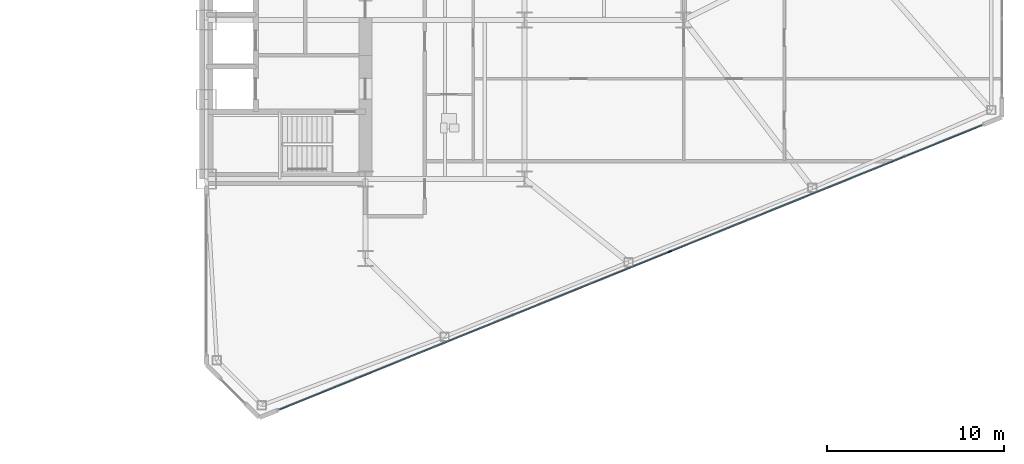
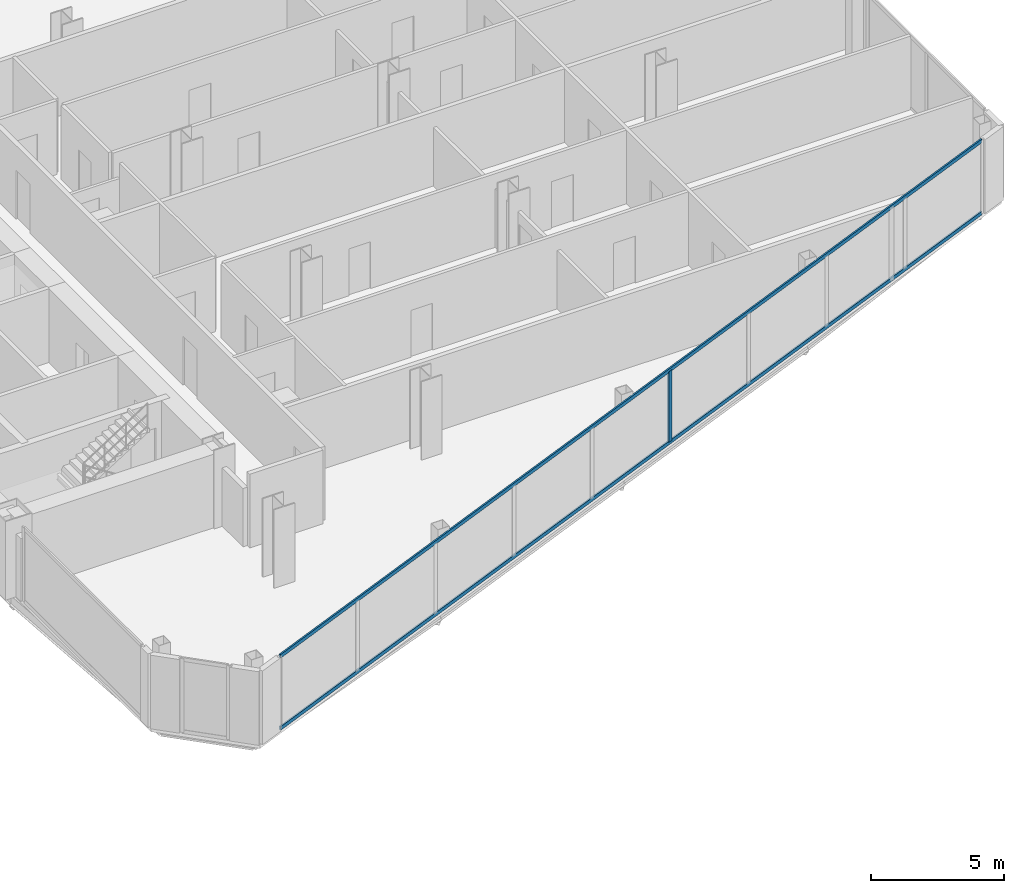
# One storey, part 10 of 25: 3 members, 1 element without a shape of its own.
"""IFC4 building model written with IfcOpenShell, lengths in metres."""

from ifc_helpers import new_model, si_unit, direction, frame, origin, origin_2d, place, context, subcontext, project, spatial, rectangle, extrude, source, transform, mapped, material, layer, layer_set, material_profile, profile_set, type_object, type_shapes, element, aggregate, save


model = new_model("IFC4")

# Units and contexts
model_context = context("Model", 3, precision=1e-05, world=origin(), true_north=direction((0.0, 1.0)))
body_context = subcontext(model_context, "Body", "Model", "MODEL_VIEW")
ifc_project = project(units=[si_unit("LENGTHUNIT", "METRE"), si_unit("AREAUNIT", "SQUARE_METRE"), si_unit("VOLUMEUNIT", "CUBIC_METRE"), si_unit("PLANEANGLEUNIT", "RADIAN"), si_unit("MASSUNIT", "GRAM", prefix="KILO")], contexts=[model_context])

# Site, building, storey
site_placement = place(None, origin())
site = spatial("IfcSite", under=ifc_project, at=site_placement, CompositionType="ELEMENT")
building_placement = place(site_placement, origin())
building = spatial("IfcBuilding", under=site, at=building_placement, Name="Seokmaru Belvedere", CompositionType="ELEMENT")
storey_placement = place(building_placement, frame((0.0, 0.0, 44.10009765625)))
storey = spatial("IfcBuildingStorey", under=building, at=storey_placement, Name="L11", CompositionType="ELEMENT", Elevation=44.10009765625)

# Curtain wall, members
ifc_material_1 = material(Name="Bronze Triple Insulating Glass", Category="glass")
ifc_layer = layer(ifc_material_1, 0.2099609375)
ifc_layer_set = layer_set([ifc_layer], Name="Bronze Triple Insulating Glass")
curtain_wall_type = type_object("IfcCurtainWallType", Name="Low-Rise Faceted Crystal Curtain Wall System CW-2", PredefinedType="NOTDEFINED", material=ifc_layer_set)
curtain_wall_placement = place(storey_placement, origin())
curtain_wall = element("IfcCurtainWall", 1, at=curtain_wall_placement, inside=storey, type_object=curtain_wall_type, Name="L11 Curtain Wall EF1", PredefinedType="NOTDEFINED")
ifc_material_2 = material(Name="Anodised Bronze Aluminium", Category="aluminium")
ifc_material_profile_1 = material_profile(ifc_material_2, rectangle(XDim=0.074951171875, YDim=0.2099609375, at=origin_2d()), Name="CW-M-75x210")
ifc_profile_set_1 = profile_set([ifc_material_profile_1], Name="Anodised Bronze Aluminium")
member_type_1 = type_object("IfcMemberType", Name="Bronze Unitised Mullion 75x210", PredefinedType="MULLION", material=ifc_profile_set_1)
shared_shape_1 = source(origin(), body_context, "Body", "SweptSolid", [
    extrude(rectangle(XDim=0.074951171875, YDim=0.2099609375, at=origin_2d()), origin(), (0.0, 0.0, 1.0), 3.239990234375),
])
type_shapes(member_type_1, [shared_shape_1])
member_1_placement = place(storey_placement, frame((53.71484375, -17.603515625, 0.06982421875), z_axis=(0.0, 0.0, 1.0), x_axis=(-0.375192321888, 0.926946989637, 0.0)))
member_1 = element("IfcMember", 2, at=member_1_placement, type_object=member_type_1, Name="CW:L11:EF1 Mullion 6", PredefinedType="MULLION", context=body_context, shape_type="MappedRepresentation", body=[
    mapped(shared_shape_1, transform((0.0, 0.0, 0.0), scale=1.0)),
])
ifc_material_profile_2 = material_profile(ifc_material_2, rectangle(XDim=0.070068359375, YDim=0.1650390625, at=origin_2d()), Name="CW-T-70x165")
ifc_profile_set_2 = profile_set([ifc_material_profile_2], Name="Anodised Bronze Aluminium")
member_type_2 = type_object("IfcMemberType", Name="Bronze Unitised Transom 70x165", PredefinedType="USERDEFINED", material=ifc_profile_set_2)
shared_shape_2 = source(origin(), body_context, "Body", "SweptSolid", [
    extrude(rectangle(XDim=0.070068359375, YDim=0.1650390625, at=origin_2d()), origin(), (0.0, 0.0, 1.0), 42.860107421875),
])
type_shapes(member_type_2, [shared_shape_2])
member_2_placement = place(storey_placement, frame((31.635498046875, -26.540283203125, 0.034912109375), z_axis=(0.926948605599, 0.375188329481, 0.0), x_axis=(-0.375188329481, 0.926948605599, 0.0)))
member_2 = element("IfcMember", 3, at=member_2_placement, type_object=member_type_2, Name="CW:L11:EF1 Continuous Transom 1", ObjectType="TRANSOM", PredefinedType="USERDEFINED", context=body_context, shape_type="MappedRepresentation", body=[
    mapped(shared_shape_2, transform((0.0, 0.0, 0.0), scale=1.0)),
])
member_3_placement = place(storey_placement, frame((31.635498046875, -26.540283203125, 3.344970703125), z_axis=(0.926948605599, 0.375188329481, 0.0), x_axis=(-0.375188329481, 0.926948605599, 0.0)))
member_3 = element("IfcMember", 4, at=member_3_placement, type_object=member_type_2, Name="CW:L11:EF1 Continuous Transom 2", ObjectType="TRANSOM", PredefinedType="USERDEFINED", context=body_context, shape_type="MappedRepresentation", body=[
    mapped(shared_shape_2, transform((0.0, 0.0, 0.0), scale=1.0)),
])
aggregate(curtain_wall, [member_1, member_2, member_3])

save(model, "model.ifc")
